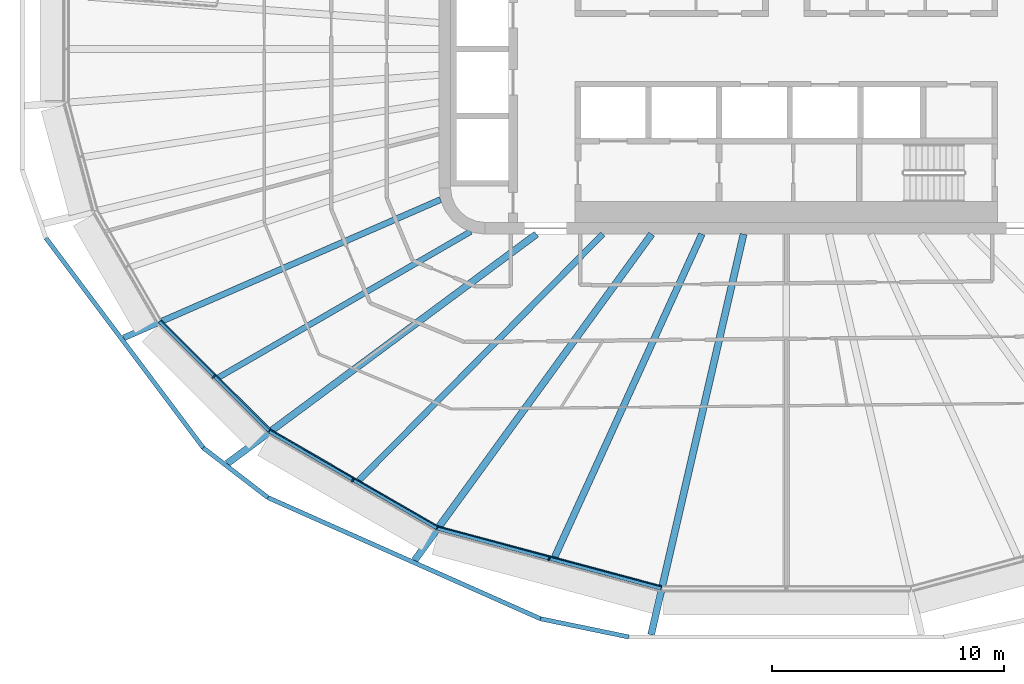
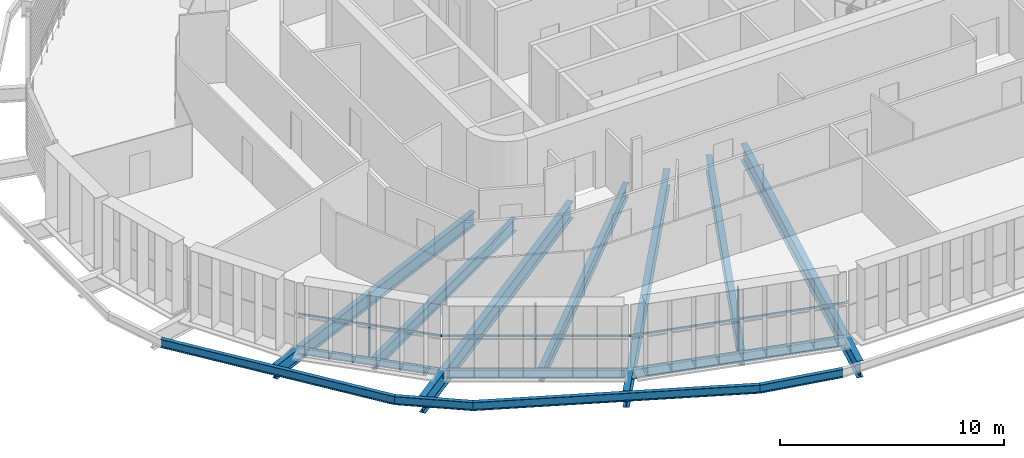
# One storey, part 1 of 23: 14 beams, 6 members, 3 elements without a shape of their own.
"""IFC4 building model written with IfcOpenShell, lengths in metres."""

from ifc_helpers import new_model, si_unit, direction, frame, origin, origin_2d, place, context, subcontext, project, spatial, rectangle, i_section, extrude, material, layer, layer_set, material_profile, profile_set, type_object, element, aggregate, save


model = new_model("IFC4")

# Units and contexts
model_context = context("Model", 3, precision=1e-05, world=origin(), true_north=direction((0.0, 1.0)))
body_context = subcontext(model_context, "Body", "Model", "MODEL_VIEW")
ifc_project = project(units=[si_unit("LENGTHUNIT", "METRE"), si_unit("AREAUNIT", "SQUARE_METRE"), si_unit("VOLUMEUNIT", "CUBIC_METRE"), si_unit("PLANEANGLEUNIT", "RADIAN"), si_unit("MASSUNIT", "GRAM", prefix="KILO")], contexts=[model_context])

# Site, building, storey
site_placement = place(None, origin())
site = spatial("IfcSite", under=ifc_project, at=site_placement, CompositionType="ELEMENT")
building_placement = place(site_placement, origin())
building = spatial("IfcBuilding", under=site, at=building_placement, Name="Sahrelin Media Tower", CompositionType="ELEMENT")
storey_placement = place(building_placement, frame((0.0, 0.0, 169.60009765625)))
storey = spatial("IfcBuildingStorey", under=building, at=storey_placement, Name="L35", CompositionType="ELEMENT", Elevation=169.60009765625)

# Beams
ifc_material_1 = material(Name="Steel S355", Category="steel")
ifc_material_profile_1 = material_profile(ifc_material_1, i_section(OverallWidth=0.17138671875, OverallDepth=0.35498046875, WebThickness=0.00732421875, FlangeThickness=0.011474609375, FilletRadius=0.01025390625, at=origin_2d()), Name="UB 356x171x51")
ifc_profile_set_1 = profile_set([ifc_material_profile_1], Name="Steel S355")
beam_type_1 = type_object("IfcBeamType", Name="Edge beam EB3", PredefinedType="BEAM", material=ifc_profile_set_1)
beam_1_placement = place(storey_placement, frame((-22.328125, -16.489990234375, -0.32763671875), z_axis=(-0.707106781187, 0.707106781187, 0.0), x_axis=(-0.707106781187, -0.707106781187, 0.0)))
element("IfcBeam", 1, at=beam_1_placement, inside=storey, type_object=beam_type_1, Name="Edge beam L35-10", PredefinedType="BEAM", context=body_context, shape_type="SweptSolid", body=[
    extrude(i_section(OverallWidth=0.17138671875, OverallDepth=0.35498046875, WebThickness=0.00732421875, FlangeThickness=0.011474609375, FilletRadius=0.01025390625, at=origin_2d()), origin(), (0.0, 0.0, 1.0), 6.675048828125),
])
ifc_material_profile_2 = material_profile(ifc_material_1, i_section(OverallWidth=0.1904296875, OverallDepth=0.45703125, WebThickness=0.009033203125, FlangeThickness=0.014404296875, FilletRadius=0.01025390625, at=origin_2d()), Name="UB 457x191x74")
ifc_profile_set_2 = profile_set([ifc_material_profile_2], Name="Steel S355")
beam_type_2 = type_object("IfcBeamType", Name="Edge beam EB5", PredefinedType="BEAM", material=ifc_profile_set_2)
beam_2_placement = place(storey_placement, frame((-15.086669921875, -20.67529296875, -0.378662109375), z_axis=(-0.866026580217, 0.499997962354, 0.0), x_axis=(-0.499997962354, -0.866026580217, 0.0)))
element("IfcBeam", 2, at=beam_2_placement, inside=storey, type_object=beam_type_2, Name="Edge beam L35-09", PredefinedType="BEAM", context=body_context, shape_type="SweptSolid", body=[
    extrude(i_section(OverallWidth=0.1904296875, OverallDepth=0.45703125, WebThickness=0.009033203125, FlangeThickness=0.014404296875, FilletRadius=0.01025390625, at=origin_2d()), origin(), (0.0, 0.0, 1.0), 8.33544921875),
])
ifc_material_profile_3 = material_profile(ifc_material_1, i_section(OverallWidth=0.208740234375, OverallDepth=0.5283203125, WebThickness=0.009521484375, FlangeThickness=0.01318359375, FilletRadius=0.0126953125, at=origin_2d()), Name="UB 533x210x82")
ifc_profile_set_3 = profile_set([ifc_material_profile_3], Name="Steel S355")
beam_type_3 = type_object("IfcBeamType", Name="Edge beam EB6", PredefinedType="BEAM", material=ifc_profile_set_3)
beam_3_placement = place(storey_placement, frame((-5.399658203125, -23.274658203125, -0.414306640625), z_axis=(-0.965928765313, 0.258808076268, 0.0), x_axis=(-0.258808076268, -0.965928765313, 0.0)))
element("IfcBeam", 3, at=beam_3_placement, inside=storey, type_object=beam_type_3, Name="Edge beam L35-08", PredefinedType="BEAM", context=body_context, shape_type="SweptSolid", body=[
    extrude(i_section(OverallWidth=0.208740234375, OverallDepth=0.5283203125, WebThickness=0.009521484375, FlangeThickness=0.01318359375, FilletRadius=0.0126953125, at=origin_2d()), origin(), (0.0, 0.0, 1.0), 10.001220703125),
])

# Curtain wall, member
ifc_material_2 = material(Name="Champagne anodised aluminium 6063-T6", Category="aluminium")
ifc_layer = layer(ifc_material_2, 0.14990234375)
ifc_layer_set = layer_set([ifc_layer], Name="Tower ribbon curtain wall")
curtain_wall_type = type_object("IfcCurtainWallType", Name="Tower ribbon curtain wall", PredefinedType="NOTDEFINED", material=ifc_layer_set)
curtain_wall_1_placement = place(storey_placement, frame((-24.794189453125, -14.236083984375, 0.0), z_axis=(0.0, 0.0, 1.0), x_axis=(1.0, 0.0, 0.0)))
curtain_wall_1 = element("IfcCurtainWall", 4, at=curtain_wall_1_placement, inside=storey, type_object=curtain_wall_type, Name="L35:CW:L35-15", PredefinedType="NOTDEFINED")
ifc_material_profile_4 = material_profile(ifc_material_2, rectangle(XDim=0.06005859375, YDim=0.175048828125, at=origin_2d()), Name="Mullion 60x175")
ifc_profile_set_4 = profile_set([ifc_material_profile_4], Name="Champagne anodised aluminium 6063-T6")
member_type_1 = type_object("IfcMemberType", Name="Mullion 60x175 CW1B", PredefinedType="MULLION", material=ifc_profile_set_4)
member_1_placement = place(storey_placement, frame((-24.71826171875, -14.16015625, 0.0), z_axis=(0.0, 0.0, 1.0), x_axis=(0.707106781187, -0.707106781187, 0.0)))
member_1 = element("IfcMember", 5, at=member_1_placement, type_object=member_type_1, Name="L35:CWM:L35-15", PredefinedType="MULLION", context=body_context, shape_type="SweptSolid", body=[
    extrude(rectangle(XDim=0.06005859375, YDim=0.175048828125, at=origin_2d()), origin(), (0.0, 0.0, 1.0), 3.448486328125),
])

curtain_wall_2_placement = place(storey_placement, frame((-18.77099609375, -18.72119140625, 0.0), z_axis=(0.0, 0.0, 1.0), x_axis=(1.0, 0.0, 0.0)))
curtain_wall_2 = element("IfcCurtainWall", 6, at=curtain_wall_2_placement, inside=storey, type_object=curtain_wall_type, Name="L35:CW:L35-16", PredefinedType="NOTDEFINED")
member_2_placement = place(storey_placement, frame((-18.71728515625, -18.628173828125, 0.0), z_axis=(0.0, 0.0, 1.0), x_axis=(0.866028021766, -0.499995465495, 0.0)))
member_2 = element("IfcMember", 7, at=member_2_placement, type_object=member_type_1, Name="L35:CWM:L35-16", PredefinedType="MULLION", context=body_context, shape_type="SweptSolid", body=[
    extrude(rectangle(XDim=0.06005859375, YDim=0.175048828125, at=origin_2d()), origin(), (0.0, 0.0, 1.0), 3.448486328125),
])

curtain_wall_3_placement = place(storey_placement, frame((-10.268798828125, -22.125244140625, 0.0), z_axis=(0.0, 0.0, 1.0), x_axis=(1.0, 0.0, 0.0)))
curtain_wall_3 = element("IfcCurtainWall", 8, at=curtain_wall_3_placement, inside=storey, type_object=curtain_wall_type, Name="L35:CW:L35-17", PredefinedType="NOTDEFINED")
member_3_placement = place(storey_placement, frame((-10.240966796875, -22.021484375, 0.0), z_axis=(0.0, 0.0, 1.0), x_axis=(0.965924019368, -0.258825788531, 0.0)))
member_3 = element("IfcMember", 9, at=member_3_placement, type_object=member_type_1, Name="L35:CWM:L35-17", PredefinedType="MULLION", context=body_context, shape_type="SweptSolid", body=[
    extrude(rectangle(XDim=0.06005859375, YDim=0.175048828125, at=origin_2d()), origin(), (0.0, 0.0, 1.0), 3.448486328125),
])

# Beams
ifc_material_profile_5 = material_profile(ifc_material_1, i_section(OverallWidth=0.30322265625, OverallDepth=0.903076171875, WebThickness=0.01513671875, FlangeThickness=0.020263671875, FilletRadius=0.01904296875, at=origin_2d()), Name="UB 914x305x201")
ifc_profile_set_5 = profile_set([ifc_material_profile_5], Name="Steel S355")
beam_type_4 = type_object("IfcBeamType", Name="Radial primary beam PB11", PredefinedType="BEAM", material=ifc_profile_set_5)
beam_4_placement = place(storey_placement, frame((-10.786865234375, -8.0, -0.6015625), z_axis=(-0.803209298221, -0.595696922311, 0.0), x_axis=(0.595696922311, -0.803209298221, 0.0)))
element("IfcBeam", 10, at=beam_4_placement, inside=storey, type_object=beam_type_4, Name="Radial beam L35-16", PredefinedType="BEAM", context=body_context, shape_type="SweptSolid", body=[
    extrude(i_section(OverallWidth=0.30322265625, OverallDepth=0.903076171875, WebThickness=0.01513671875, FlangeThickness=0.020263671875, FilletRadius=0.01904296875, at=origin_2d()), origin(), (0.0, 0.0, 1.0), 16.627685546875),
])
beam_5_placement = place(storey_placement, frame((-5.813720703125, -8.0, -0.6015625), z_axis=(-0.587891589899, -0.808939724903, 0.0), x_axis=(0.808939724903, -0.587891589899, 0.0)))
element("IfcBeam", 11, at=beam_5_placement, inside=storey, type_object=beam_type_4, Name="Radial beam L35-17", PredefinedType="BEAM", context=body_context, shape_type="SweptSolid", body=[
    extrude(i_section(OverallWidth=0.30322265625, OverallDepth=0.903076171875, WebThickness=0.01513671875, FlangeThickness=0.020263671875, FilletRadius=0.01904296875, at=origin_2d()), origin(), (0.0, 0.0, 1.0), 17.415283203125),
])
beam_6_placement = place(storey_placement, frame((-1.845703125, -8.0, -0.6015625), z_axis=(-0.224811304433, -0.974402318039, 0.0), x_axis=(0.974402318039, -0.224811304433, 0.0)))
element("IfcBeam", 12, at=beam_6_placement, inside=storey, type_object=beam_type_4, Name="Radial beam L35-18", PredefinedType="BEAM", context=body_context, shape_type="SweptSolid", body=[
    extrude(i_section(OverallWidth=0.30322265625, OverallDepth=0.903076171875, WebThickness=0.01513671875, FlangeThickness=0.020263671875, FilletRadius=0.01904296875, at=origin_2d()), origin(), (0.0, 0.0, 1.0), 17.755859375),
])
ifc_material_profile_6 = material_profile(ifc_material_1, i_section(OverallWidth=0.26513671875, OverallDepth=0.75390625, WebThickness=0.0126953125, FlangeThickness=0.017578125, FilletRadius=0.0166015625, at=origin_2d()), Name="UB 762x267x147")
ifc_profile_set_6 = profile_set([ifc_material_profile_6], Name="Steel S355")
beam_type_5 = type_object("IfcBeamType", Name="Radial primary beam PB9", PredefinedType="BEAM", material=ifc_profile_set_6)
beam_7_placement = place(storey_placement, frame((-14.9326171875, -6.51171875, -0.527099609375), z_axis=(-0.916635140425, -0.399724929594, 0.0), x_axis=(0.399724929594, -0.916635140425, 0.0)))
element("IfcBeam", 13, at=beam_7_placement, inside=storey, type_object=beam_type_5, Name="Radial beam L35-15", PredefinedType="BEAM", context=body_context, shape_type="SweptSolid", body=[
    extrude(i_section(OverallWidth=0.26513671875, OverallDepth=0.75390625, WebThickness=0.0126953125, FlangeThickness=0.017578125, FilletRadius=0.0166015625, at=origin_2d()), origin(), (0.0, 0.0, 1.0), 14.931640625),
])
ifc_material_profile_7 = material_profile(ifc_material_1, i_section(OverallWidth=0.291748046875, OverallDepth=0.8349609375, WebThickness=0.013916015625, FlangeThickness=0.018798828125, FilletRadius=0.017822265625, at=origin_2d()), Name="UB 838x292x176")
ifc_profile_set_7 = profile_set([ifc_material_profile_7], Name="Steel S355")
beam_type_6 = type_object("IfcBeamType", Name="Radial secondary beam SB10", PredefinedType="BEAM", material=ifc_profile_set_7)
beam_8_placement = place(storey_placement, frame((-3.645751953125, -8.0, -0.567626953125), z_axis=(-0.414680791378, -0.909966945148, 0.0), x_axis=(0.909966945148, -0.414680791378, 0.0)))
element("IfcBeam", 14, at=beam_8_placement, inside=storey, type_object=beam_type_6, Name="Secondary beam L35-17", PredefinedType="BEAM", context=body_context, shape_type="SweptSolid", body=[
    extrude(i_section(OverallWidth=0.291748046875, OverallDepth=0.8349609375, WebThickness=0.013916015625, FlangeThickness=0.018798828125, FilletRadius=0.017822265625, at=origin_2d()), origin(), (0.0, 0.0, 1.0), 15.313720703125),
])
ifc_material_profile_8 = material_profile(ifc_material_1, i_section(OverallWidth=0.2529296875, OverallDepth=0.677978515625, WebThickness=0.01171875, FlangeThickness=0.01611328125, FilletRadius=0.01513671875, at=origin_2d()), Name="UB 686x254x125")
ifc_profile_set_8 = profile_set([ifc_material_profile_8], Name="Steel S355")
beam_type_7 = type_object("IfcBeamType", Name="Radial secondary beam SB8", PredefinedType="BEAM", material=ifc_profile_set_8)
beam_9_placement = place(storey_placement, frame((-13.62646484375, -7.88671875, -0.489013671875), z_axis=(-0.865485648512, -0.500933720386, 0.0), x_axis=(0.500933720386, -0.865485648512, 0.0)))
element("IfcBeam", 15, at=beam_9_placement, inside=storey, type_object=beam_type_7, Name="Secondary beam L35-15", PredefinedType="BEAM", context=body_context, shape_type="SweptSolid", body=[
    extrude(i_section(OverallWidth=0.2529296875, OverallDepth=0.677978515625, WebThickness=0.01171875, FlangeThickness=0.01611328125, FilletRadius=0.01513671875, at=origin_2d()), origin(), (0.0, 0.0, 1.0), 12.57568359375),
])
ifc_material_profile_9 = material_profile(ifc_material_1, i_section(OverallWidth=0.26513671875, OverallDepth=0.75390625, WebThickness=0.0126953125, FlangeThickness=0.017578125, FilletRadius=0.0166015625, at=origin_2d()), Name="UB 762x267x147")
ifc_profile_set_9 = profile_set([ifc_material_profile_9], Name="Steel S355")
beam_type_8 = type_object("IfcBeamType", Name="Radial secondary beam SB9", PredefinedType="BEAM", material=ifc_profile_set_9)
beam_10_placement = place(storey_placement, frame((-7.9228515625, -8.0, -0.527099609375), z_axis=(-0.703670153618, -0.710526786904, 0.0), x_axis=(0.710526786904, -0.703670153618, 0.0)))
element("IfcBeam", 16, at=beam_10_placement, inside=storey, type_object=beam_type_8, Name="Secondary beam L35-16", PredefinedType="BEAM", context=body_context, shape_type="SweptSolid", body=[
    extrude(i_section(OverallWidth=0.26513671875, OverallDepth=0.75390625, WebThickness=0.0126953125, FlangeThickness=0.017578125, FilletRadius=0.0166015625, at=origin_2d()), origin(), (0.0, 0.0, 1.0), 14.954833984375),
])
ifc_material_profile_10 = material_profile(ifc_material_1, i_section(OverallWidth=0.1904296875, OverallDepth=0.45703125, WebThickness=0.009033203125, FlangeThickness=0.014404296875, FilletRadius=0.01025390625, at=origin_2d()), Name="UB 457x191x74")
ifc_profile_set_10 = profile_set([ifc_material_profile_10], Name="Steel S355")
beam_type_9 = type_object("IfcBeamType", Name="Tie chord TC5", PredefinedType="BEAM", material=ifc_profile_set_10)
beam_11_placement = place(storey_placement, frame((-31.97412109375, -8.166748046875, -0.378662109375), z_axis=(0.600051716196, -0.799961210241, 0.0), x_axis=(0.799961210241, 0.600051716196, 0.0)))
element("IfcBeam", 17, at=beam_11_placement, inside=storey, type_object=beam_type_9, Name="Tie chord L35-14", PredefinedType="BEAM", context=body_context, shape_type="SweptSolid", body=[
    extrude(i_section(OverallWidth=0.1904296875, OverallDepth=0.45703125, WebThickness=0.009033203125, FlangeThickness=0.014404296875, FilletRadius=0.01025390625, at=origin_2d()), origin(), (0.0, 0.0, 1.0), 11.32958984375),
])
beam_12_placement = place(storey_placement, frame((-25.17578125, -17.22998046875, -0.378662109375), z_axis=(0.792466741096, -0.609915128733, 0.0), x_axis=(0.609915128733, 0.792466741096, 0.0)))
element("IfcBeam", 18, at=beam_12_placement, inside=storey, type_object=beam_type_9, Name="Tie chord L35-15", PredefinedType="BEAM", context=body_context, shape_type="SweptSolid", body=[
    extrude(i_section(OverallWidth=0.1904296875, OverallDepth=0.45703125, WebThickness=0.009033203125, FlangeThickness=0.014404296875, FilletRadius=0.01025390625, at=origin_2d()), origin(), (0.0, 0.0, 1.0), 3.521240234375),
])
beam_13_placement = place(storey_placement, frame((-22.38525390625, -19.377685546875, -0.378662109375), z_axis=(0.913832643014, -0.406091000347, 0.0), x_axis=(0.406091000347, 0.913832643014, 0.0)))
element("IfcBeam", 19, at=beam_13_placement, inside=storey, type_object=beam_type_9, Name="Tie chord L35-16", PredefinedType="BEAM", context=body_context, shape_type="SweptSolid", body=[
    extrude(i_section(OverallWidth=0.1904296875, OverallDepth=0.45703125, WebThickness=0.009033203125, FlangeThickness=0.014404296875, FilletRadius=0.01025390625, at=origin_2d()), origin(), (0.0, 0.0, 1.0), 12.885498046875),
])
beam_14_placement = place(storey_placement, frame((-10.610107421875, -24.6103515625, -0.378662109375), z_axis=(0.979388114358, -0.201987428952, 0.0), x_axis=(0.201987428952, 0.979388114358, 0.0)))
element("IfcBeam", 20, at=beam_14_placement, inside=storey, type_object=beam_type_9, Name="Tie chord L35-17", PredefinedType="BEAM", context=body_context, shape_type="SweptSolid", body=[
    extrude(i_section(OverallWidth=0.1904296875, OverallDepth=0.45703125, WebThickness=0.009033203125, FlangeThickness=0.014404296875, FilletRadius=0.01025390625, at=origin_2d()), origin(), (0.0, 0.0, 1.0), 3.89208984375),
])

# Member
ifc_material_profile_11 = material_profile(ifc_material_2, rectangle(XDim=0.050048828125, YDim=0.110107421875, at=origin_2d()), Name="Transom 50x110")
ifc_profile_set_11 = profile_set([ifc_material_profile_11], Name="Champagne anodised aluminium 6063-T6")
member_type_2 = type_object("IfcMemberType", Name="Transom 50x110 CW1B", PredefinedType="USERDEFINED", material=ifc_profile_set_11)
member_4_placement = place(storey_placement, frame((-26.987548828125, -11.731689453125, 1.599853515625), z_axis=(0.707106781187, -0.707106781187, 0.0), x_axis=(0.707106781187, 0.707106781187, 0.0)))
member_4 = element("IfcMember", 21, at=member_4_placement, type_object=member_type_2, Name="L35:CWT:L35-15", ObjectType="TRANSOM", PredefinedType="USERDEFINED", context=body_context, shape_type="SweptSolid", body=[
    extrude(rectangle(XDim=0.050048828125, YDim=0.110107421875, at=origin_2d()), origin(), (0.0, 0.0, 1.0), 6.6435546875),
])

aggregate(curtain_wall_1, [member_1, member_4])

member_5_placement = place(storey_placement, frame((-22.256591796875, -16.454833984375, 1.599853515625), z_axis=(0.866030872041, -0.499990528583, 0.0), x_axis=(0.499990528583, 0.866030872041, 0.0)))
member_5 = element("IfcMember", 22, at=member_5_placement, type_object=member_type_2, Name="L35:CWT:L35-16", ObjectType="TRANSOM", PredefinedType="USERDEFINED", context=body_context, shape_type="SweptSolid", body=[
    extrude(rectangle(XDim=0.050048828125, YDim=0.110107421875, at=origin_2d()), origin(), (0.0, 0.0, 1.0), 8.303955078125),
])

aggregate(curtain_wall_2, [member_2, member_5])

member_6_placement = place(storey_placement, frame((-15.02685546875, -20.62255859375, 1.599853515625), z_axis=(0.965921270769, -0.258836045938, 0.0), x_axis=(0.258836045938, 0.965921270769, 0.0)))
member_6 = element("IfcMember", 23, at=member_6_placement, type_object=member_type_2, Name="L35:CWT:L35-17", ObjectType="TRANSOM", PredefinedType="USERDEFINED", context=body_context, shape_type="SweptSolid", body=[
    extrude(rectangle(XDim=0.050048828125, YDim=0.110107421875, at=origin_2d()), origin(), (0.0, 0.0, 1.0), 9.969970703125),
])

aggregate(curtain_wall_3, [member_3, member_6])

save(model, "model.ifc")
